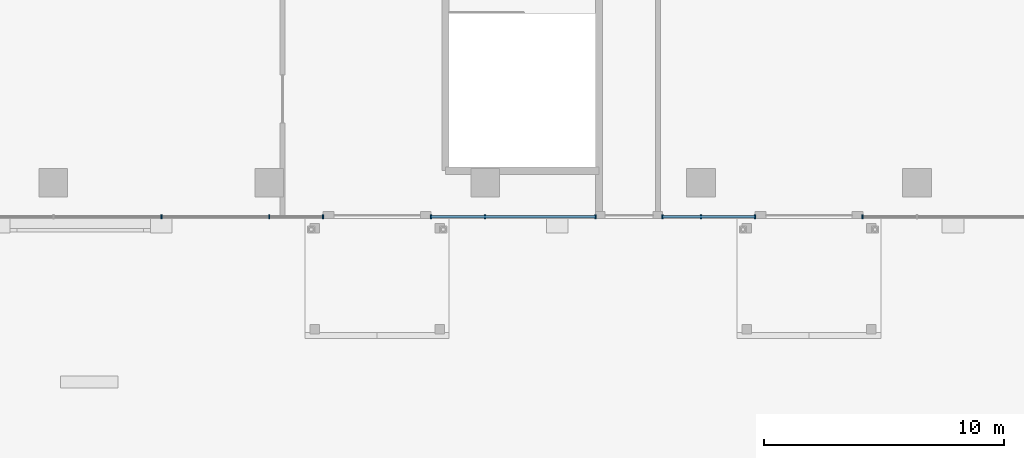
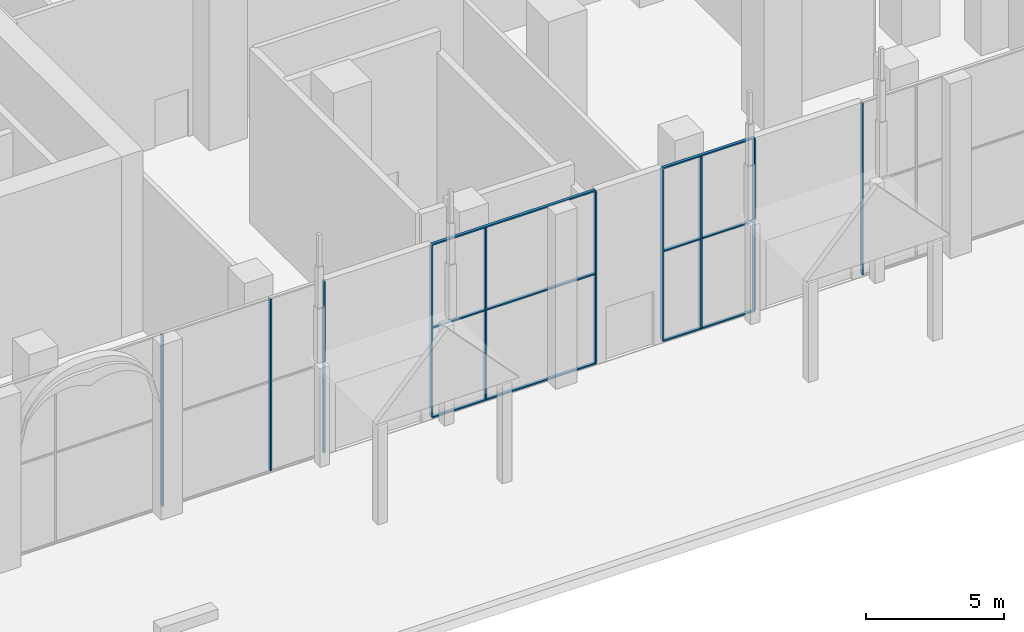
# One storey, part 6 of 54: 16 members, 4 elements without a shape of their own.
"""IFC4 building model written with IfcOpenShell, lengths in metres."""

from ifc_helpers import new_model, si_unit, direction, frame, origin, origin_2d, place, context, subcontext, project, spatial, rectangle, extrude, material, material_profile, profile_set, type_object, element, aggregate, save


model = new_model("IFC4")

# Units and contexts
model_context = context("Model", 3, precision=1e-05, world=origin(), true_north=direction((0.0, 1.0)))
body_context = subcontext(model_context, "Body", "Model", "MODEL_VIEW")
ifc_project = project(units=[si_unit("LENGTHUNIT", "METRE"), si_unit("AREAUNIT", "SQUARE_METRE"), si_unit("VOLUMEUNIT", "CUBIC_METRE"), si_unit("PLANEANGLEUNIT", "RADIAN"), si_unit("MASSUNIT", "GRAM", prefix="KILO")], contexts=[model_context])

# Site, building, storey
site_placement = place(None, origin())
site = spatial("IfcSite", under=ifc_project, at=site_placement, CompositionType="ELEMENT")
building_placement = place(site_placement, origin())
building = spatial("IfcBuilding", under=site, at=building_placement, Name="Ogive Portal Towers", CompositionType="ELEMENT")
storey_placement = place(building_placement, origin())
storey = spatial("IfcBuildingStorey", under=building, at=storey_placement, Name="L00", CompositionType="ELEMENT", Elevation=0.0)

# Curtain wall, members
ifc_material_1 = material(Name="Glass, clear low-iron insulated glazing", Category="glass")
curtain_wall_type = type_object("IfcCurtainWallType", Name="CW PODIUM SHOPFRONT", PredefinedType="NOTDEFINED", material=ifc_material_1)
curtain_wall_1_placement = place(storey_placement, origin())
curtain_wall_1 = element("IfcCurtainWall", 1, at=curtain_wall_1_placement, inside=storey, type_object=curtain_wall_type, Name="A:L00:f02:cw0", PredefinedType="NOTDEFINED")
ifc_material_2 = material(Name="Aluminium 6063 anodised", Category="aluminium")
ifc_material_profile_1 = material_profile(ifc_material_2, rectangle(XDim=0.159912109375, YDim=0.06005859375, at=origin_2d()), Name="AL 60x160")
ifc_profile_set_1 = profile_set([ifc_material_profile_1], Name="Aluminium 6063 anodised")
member_type_1 = type_object("IfcMemberType", Name="CW MULLION 60x160", PredefinedType="MULLION", material=ifc_profile_set_1)
member_1_placement = place(storey_placement, frame((54.0, 11.080078125, 0.06005859375), z_axis=(0.0, 0.0, 1.0), x_axis=(0.0, 1.0, 0.0)))
member_1 = element("IfcMember", 2, at=member_1_placement, type_object=member_type_1, Name="mullion", PredefinedType="MULLION", context=body_context, shape_type="SweptSolid", body=[
    extrude(rectangle(XDim=0.159912109375, YDim=0.06005859375, at=origin_2d()), origin(), (0.0, 0.0, 1.0), 7.579833984375),
])
member_2_placement = place(storey_placement, frame((58.5, 11.080078125, 0.06005859375), z_axis=(0.0, 0.0, 1.0), x_axis=(0.0, 1.0, 0.0)))
member_2 = element("IfcMember", 3, at=member_2_placement, type_object=member_type_1, Name="mullion", PredefinedType="MULLION", context=body_context, shape_type="SweptSolid", body=[
    extrude(rectangle(XDim=0.159912109375, YDim=0.06005859375, at=origin_2d()), origin(), (0.0, 0.0, 1.0), 7.579833984375),
])
member_3_placement = place(storey_placement, frame((60.747802734375, 11.080078125, 0.06005859375), z_axis=(0.0, 0.0, 1.0), x_axis=(0.0, 1.0, 0.0)))
member_3 = element("IfcMember", 4, at=member_3_placement, type_object=member_type_1, Name="mullion", PredefinedType="MULLION", context=body_context, shape_type="SweptSolid", body=[
    extrude(rectangle(XDim=0.159912109375, YDim=0.06005859375, at=origin_2d()), origin(), (0.0, 0.0, 1.0), 7.579833984375),
])
aggregate(curtain_wall_1, [member_1, member_2, member_3])

curtain_wall_2_placement = place(storey_placement, origin())
curtain_wall_2 = element("IfcCurtainWall", 5, at=curtain_wall_2_placement, inside=storey, type_object=curtain_wall_type, Name="A:L00:f02:cw1", PredefinedType="NOTDEFINED")
member_4_placement = place(storey_placement, frame((65.245849609375, 11.080078125, 0.06005859375), z_axis=(0.0, 0.0, 1.0), x_axis=(0.0, 1.0, 0.0)))
member_4 = element("IfcMember", 6, at=member_4_placement, type_object=member_type_1, Name="mullion", PredefinedType="MULLION", context=body_context, shape_type="SweptSolid", body=[
    extrude(rectangle(XDim=0.159912109375, YDim=0.06005859375, at=origin_2d()), origin(), (0.0, 0.0, 1.0), 7.579833984375),
])
member_5_placement = place(storey_placement, frame((67.5, 11.080078125, 0.06005859375), z_axis=(0.0, 0.0, 1.0), x_axis=(0.0, 1.0, 0.0)))
member_5 = element("IfcMember", 7, at=member_5_placement, type_object=member_type_1, Name="mullion", PredefinedType="MULLION", context=body_context, shape_type="SweptSolid", body=[
    extrude(rectangle(XDim=0.159912109375, YDim=0.06005859375, at=origin_2d()), origin(), (0.0, 0.0, 1.0), 7.579833984375),
])
member_6_placement = place(storey_placement, frame((72.0927734375, 11.080078125, 0.06005859375), z_axis=(0.0, 0.0, 1.0), x_axis=(0.0, 1.0, 0.0)))
member_6 = element("IfcMember", 8, at=member_6_placement, type_object=member_type_1, Name="mullion", PredefinedType="MULLION", context=body_context, shape_type="SweptSolid", body=[
    extrude(rectangle(XDim=0.159912109375, YDim=0.06005859375, at=origin_2d()), origin(), (0.0, 0.0, 1.0), 7.579833984375),
])

curtain_wall_3_placement = place(storey_placement, origin())
curtain_wall_3 = element("IfcCurtainWall", 9, at=curtain_wall_3_placement, inside=storey, type_object=curtain_wall_type, Name="A:L00:f02:cw2", PredefinedType="NOTDEFINED")
member_7_placement = place(storey_placement, frame((74.891357421875, 11.080078125, 0.06005859375), z_axis=(0.0, 0.0, 1.0), x_axis=(0.0, 1.0, 0.0)))
member_7 = element("IfcMember", 10, at=member_7_placement, type_object=member_type_1, Name="mullion", PredefinedType="MULLION", context=body_context, shape_type="SweptSolid", body=[
    extrude(rectangle(XDim=0.159912109375, YDim=0.06005859375, at=origin_2d()), origin(), (0.0, 0.0, 1.0), 7.579833984375),
])
member_8_placement = place(storey_placement, frame((76.5, 11.080078125, 0.06005859375), z_axis=(0.0, 0.0, 1.0), x_axis=(0.0, 1.0, 0.0)))
member_8 = element("IfcMember", 11, at=member_8_placement, type_object=member_type_1, Name="mullion", PredefinedType="MULLION", context=body_context, shape_type="SweptSolid", body=[
    extrude(rectangle(XDim=0.159912109375, YDim=0.06005859375, at=origin_2d()), origin(), (0.0, 0.0, 1.0), 7.579833984375),
])
member_9_placement = place(storey_placement, frame((78.73974609375, 11.080078125, 0.06005859375), z_axis=(0.0, 0.0, 1.0), x_axis=(0.0, 1.0, 0.0)))
member_9 = element("IfcMember", 12, at=member_9_placement, type_object=member_type_1, Name="mullion", PredefinedType="MULLION", context=body_context, shape_type="SweptSolid", body=[
    extrude(rectangle(XDim=0.159912109375, YDim=0.06005859375, at=origin_2d()), origin(), (0.0, 0.0, 1.0), 7.579833984375),
])

# Curtain wall, member
curtain_wall_4_placement = place(storey_placement, origin())
curtain_wall_4 = element("IfcCurtainWall", 13, at=curtain_wall_4_placement, inside=storey, type_object=curtain_wall_type, Name="A:L00:f02:cw3", PredefinedType="NOTDEFINED")
member_10_placement = place(storey_placement, frame((83.23779296875, 11.080078125, 0.06005859375), z_axis=(0.0, 0.0, 1.0), x_axis=(0.0, 1.0, 0.0)))
member_10 = element("IfcMember", 14, at=member_10_placement, type_object=member_type_1, Name="mullion", PredefinedType="MULLION", context=body_context, shape_type="SweptSolid", body=[
    extrude(rectangle(XDim=0.159912109375, YDim=0.06005859375, at=origin_2d()), origin(), (0.0, 0.0, 1.0), 7.579833984375),
])
aggregate(curtain_wall_4, [member_10])

# Member
ifc_material_profile_2 = material_profile(ifc_material_2, rectangle(XDim=0.1201171875, YDim=0.06005859375, at=origin_2d()), Name="AL 120x60")
ifc_profile_set_2 = profile_set([ifc_material_profile_2], Name="Aluminium 6063 anodised")
member_type_2 = type_object("IfcMemberType", Name="CW TRANSOM 60x120", PredefinedType="USERDEFINED", material=ifc_profile_set_2)
member_11_placement = place(storey_placement, frame((65.245849609375, 11.080078125, 0.030029296875), z_axis=(1.0, 0.0, 0.0), x_axis=(0.0, 1.0, 0.0)))
member_11 = element("IfcMember", 15, at=member_11_placement, type_object=member_type_2, Name="transom", ObjectType="TRANSOM", PredefinedType="USERDEFINED", context=body_context, shape_type="SweptSolid", body=[
    extrude(rectangle(XDim=0.1201171875, YDim=0.06005859375, at=origin_2d()), origin(), (0.0, 0.0, 1.0), 6.846923828125),
])

member_12_placement = place(storey_placement, frame((65.245849609375, 11.080078125, 4.0), z_axis=(1.0, 0.0, 0.0), x_axis=(0.0, 1.0, 0.0)))
member_12 = element("IfcMember", 16, at=member_12_placement, type_object=member_type_2, Name="transom", ObjectType="TRANSOM", PredefinedType="USERDEFINED", context=body_context, shape_type="SweptSolid", body=[
    extrude(rectangle(XDim=0.1201171875, YDim=0.06005859375, at=origin_2d()), origin(), (0.0, 0.0, 1.0), 6.846923828125),
])

member_13_placement = place(storey_placement, frame((65.245849609375, 11.080078125, 7.669921875), z_axis=(1.0, 0.0, 0.0), x_axis=(0.0, 1.0, 0.0)))
member_13 = element("IfcMember", 17, at=member_13_placement, type_object=member_type_2, Name="transom", ObjectType="TRANSOM", PredefinedType="USERDEFINED", context=body_context, shape_type="SweptSolid", body=[
    extrude(rectangle(XDim=0.1201171875, YDim=0.06005859375, at=origin_2d()), origin(), (0.0, 0.0, 1.0), 6.846923828125),
])

aggregate(curtain_wall_2, [member_11, member_12, member_13, member_4, member_5, member_6])

member_14_placement = place(storey_placement, frame((74.891357421875, 11.080078125, 0.030029296875), z_axis=(1.0, 0.0, 0.0), x_axis=(0.0, 1.0, 0.0)))
member_14 = element("IfcMember", 18, at=member_14_placement, type_object=member_type_2, Name="transom", ObjectType="TRANSOM", PredefinedType="USERDEFINED", context=body_context, shape_type="SweptSolid", body=[
    extrude(rectangle(XDim=0.1201171875, YDim=0.06005859375, at=origin_2d()), origin(), (0.0, 0.0, 1.0), 3.848388671875),
])

member_15_placement = place(storey_placement, frame((74.891357421875, 11.080078125, 4.0), z_axis=(1.0, 0.0, 0.0), x_axis=(0.0, 1.0, 0.0)))
member_15 = element("IfcMember", 19, at=member_15_placement, type_object=member_type_2, Name="transom", ObjectType="TRANSOM", PredefinedType="USERDEFINED", context=body_context, shape_type="SweptSolid", body=[
    extrude(rectangle(XDim=0.1201171875, YDim=0.06005859375, at=origin_2d()), origin(), (0.0, 0.0, 1.0), 3.848388671875),
])

member_16_placement = place(storey_placement, frame((74.891357421875, 11.080078125, 7.669921875), z_axis=(1.0, 0.0, 0.0), x_axis=(0.0, 1.0, 0.0)))
member_16 = element("IfcMember", 20, at=member_16_placement, type_object=member_type_2, Name="transom", ObjectType="TRANSOM", PredefinedType="USERDEFINED", context=body_context, shape_type="SweptSolid", body=[
    extrude(rectangle(XDim=0.1201171875, YDim=0.06005859375, at=origin_2d()), origin(), (0.0, 0.0, 1.0), 3.848388671875),
])

aggregate(curtain_wall_3, [member_14, member_15, member_16, member_7, member_8, member_9])

save(model, "model.ifc")
